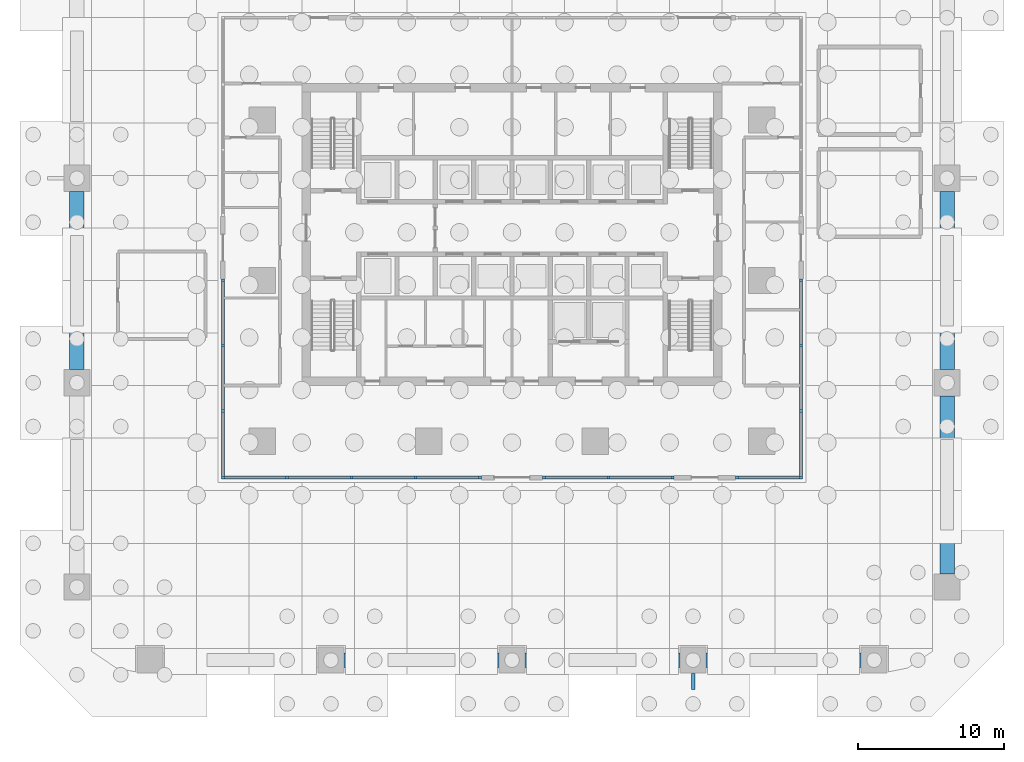
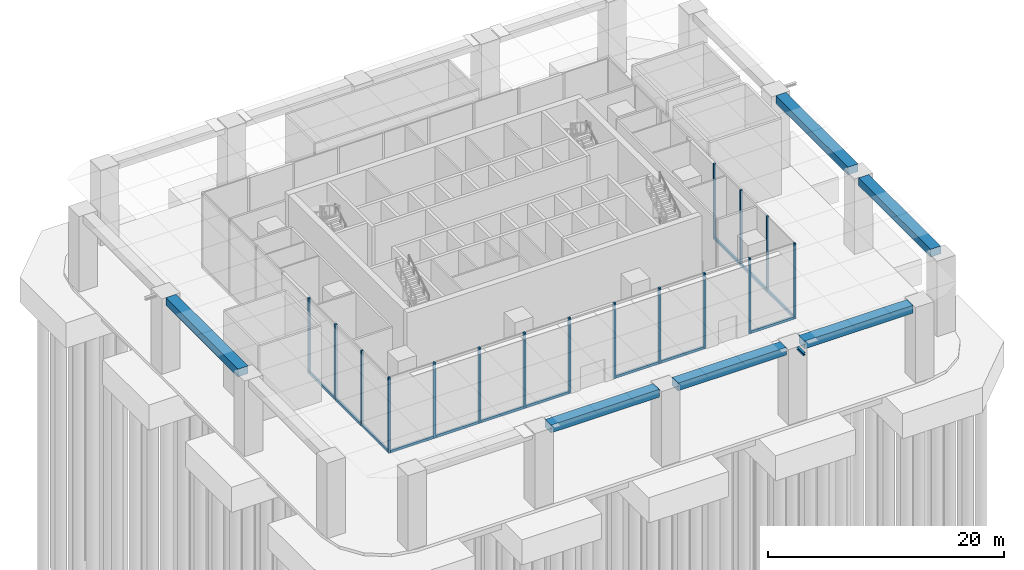
# One storey, part 3 of 18: 29 members, 7 beams, 5 elements without a shape of their own.
"""IFC4 building model written with IfcOpenShell, lengths in metres."""

import ifcopenshell
import ifcopenshell.guid

model = None  # the IFC model being written
_history = None  # IfcOwnerHistory: only IFC2X3 demands one
_inside = {}  # id of a spatial element -> (the spatial element, [elements in it])
_under = {}  # id of a project, library or spatial element -> (it, [spatial elements below it])
_declared = {}  # id of a project -> (the project, [libraries it declares])
_typed = {}  # id of a type object -> (the type object, [elements of that type])
_made_of = {}  # id of a material, layer set ... -> (it, [elements and type objects made of it])


def new_model(schema):
    """Start an empty IFC model of exactly this schema.

    Asked for "IFC4X3", IfcOpenShell would pick the latest addendum, in which some entities
    have other attributes; the version numbers below select the first issue.
    IFC2X3 requires an IfcOwnerHistory on every rooted entity: one is made here for all.
    """
    global model, _history
    if schema == "IFC4X3":
        model = ifcopenshell.file(schema_version=(4, 3, 0, 0))
    else:
        model = ifcopenshell.file(schema=schema)
    _inside.clear()
    _under.clear()
    _declared.clear()
    _typed.clear()
    _made_of.clear()
    _history = None
    if model.schema == "IFC2X3":
        org = make("IfcOrganization", Name="unknown")
        user = make(
            "IfcPersonAndOrganization",
            ThePerson=make("IfcPerson", FamilyName="unknown"),
            TheOrganization=org,
        )
        app = make(
            "IfcApplication",
            ApplicationDeveloper=org,
            Version="unknown",
            ApplicationFullName="unknown",
            ApplicationIdentifier="unknown",
        )
        _history = make(
            "IfcOwnerHistory",
            OwningUser=user,
            OwningApplication=app,
            ChangeAction="ADDED",
            CreationDate=0,
        )
    return model


def make(cls, **values):
    """One entity of the class cls with the attributes given. An attribute that is None is left unset."""
    return model.create_entity(
        cls, **{name: value for name, value in values.items() if value is not None}
    )


def rooted(cls, **values):
    """An entity with a GlobalId (a new one), such as an element, a storey or a relation."""
    return make(cls, GlobalId=ifcopenshell.guid.new(), OwnerHistory=_history, **values)


def si_unit(unit_type, name, prefix=None):
    """IfcSIUnit, for example si_unit("LENGTHUNIT", "METRE", prefix="MILLI")."""
    return make("IfcSIUnit", UnitType=unit_type, Prefix=prefix, Name=name)


def assignment(units):
    """IfcUnitAssignment: the units of a project."""
    return None if units is None else make("IfcUnitAssignment", Units=units)


def point(xyz):
    """IfcCartesianPoint."""
    return None if xyz is None else make("IfcCartesianPoint", Coordinates=xyz)


def direction(xyz):
    """IfcDirection."""
    return None if xyz is None else make("IfcDirection", DirectionRatios=xyz)


def frame(location, z_axis=None, x_axis=None):
    """IfcAxis2Placement3D, a coordinate frame: its origin and axes. An axis left out is left unset."""
    return make(
        "IfcAxis2Placement3D",
        Location=point(location),
        Axis=direction(z_axis),
        RefDirection=direction(x_axis),
    )


def frame_2d(location, x_axis=None):
    """IfcAxis2Placement2D, a coordinate frame in the plane: its origin and x axis."""
    return make(
        "IfcAxis2Placement2D", Location=point(location), RefDirection=direction(x_axis)
    )


def origin():
    """The frame at (0, 0, 0) with its axes left unset."""
    return frame((0.0, 0.0, 0.0))


def origin_2d():
    """The frame at (0, 0) in the plane with its x axis left unset."""
    return frame_2d((0.0, 0.0))


def place(relative_to, where):
    """IfcLocalPlacement: puts the frame where relative to a parent placement (None: the world)."""
    return make(
        "IfcLocalPlacement", PlacementRelTo=relative_to, RelativePlacement=where
    )


def context(
    kind, dimensions, precision=None, world=None, true_north=None, identifier=None
):
    """IfcGeometricRepresentationContext, for example the 3D "Model" context."""
    return make(
        "IfcGeometricRepresentationContext",
        ContextIdentifier=identifier,
        ContextType=kind,
        CoordinateSpaceDimension=dimensions,
        Precision=precision,
        WorldCoordinateSystem=world,
        TrueNorth=true_north,
    )


def subcontext(parent, identifier, kind, view, scale=None):
    """IfcGeometricRepresentationSubContext, for example "Body" below "Model"."""
    return make(
        "IfcGeometricRepresentationSubContext",
        ContextIdentifier=identifier,
        ContextType=kind,
        ParentContext=parent,
        TargetScale=scale,
        TargetView=view,
    )


def project(units=None, contexts=None):
    """IfcProject with its units and contexts."""
    return rooted(
        "IfcProject",
        Name="project",
        RepresentationContexts=contexts,
        UnitsInContext=assignment(units),
    )


def spatial(cls, under=None, at=None, **own):
    """A site, building, storey or space (cls), placed at a placement, below another one or the project."""
    s = rooted(cls, ObjectPlacement=at, **own)
    if under is not None:
        _under.setdefault(under.id(), (under, []))[1].append(s)
    return s


def profile(cls, at=None, kind="AREA", **sizes):
    """A parametric profile (cls). Its sizes go by their IFC names, for example OverallWidth=200.0."""
    return make(cls, ProfileType=kind, Position=at, **sizes)


def rectangle(**sizes):
    """IfcRectangleProfileDef."""
    return profile("IfcRectangleProfileDef", **sizes)


def i_section(**sizes):
    """IfcIShapeProfileDef."""
    return profile("IfcIShapeProfileDef", **sizes)


def extrude(swept, where, along, depth):
    """IfcExtrudedAreaSolid: the profile swept, set in the frame where, extruded along a direction by depth."""
    return make(
        "IfcExtrudedAreaSolid",
        SweptArea=swept,
        Position=where,
        ExtrudedDirection=direction(along),
        Depth=depth,
    )


def shape(context_of_items, identifier, shape_type, items):
    """IfcShapeRepresentation: the items that make up one representation, for example the "Body"."""
    return make(
        "IfcShapeRepresentation",
        ContextOfItems=context_of_items,
        RepresentationIdentifier=identifier,
        RepresentationType=shape_type,
        Items=items,
    )


def material(Name=None, Category=None):
    """IfcMaterial."""
    return make("IfcMaterial", Name=Name, Category=Category)


def material_profile(
    of_material, cross_section, Name=None, Category=None, Priority=None
):
    """IfcMaterialProfile: a cross section and its material."""
    return make(
        "IfcMaterialProfile",
        Name=Name,
        Material=of_material,
        Profile=cross_section,
        Priority=Priority,
        Category=Category,
    )


def profile_set(profiles, Name=None, composite=None):
    """IfcMaterialProfileSet."""
    return make(
        "IfcMaterialProfileSet",
        Name=Name,
        MaterialProfiles=profiles,
        CompositeProfile=composite,
    )


def made_of(thing, what):
    """Note that an element or type object is made of a material, layer set ...; save() writes the relation."""
    if what is not None:
        _made_of.setdefault(what.id(), (what, []))[1].append(thing)
    return thing


def type_object(cls, material=None, **own):
    """A type object (cls), such as IfcWallType, which elements share."""
    return made_of(rooted(cls, **own), material)


def element(
    cls,
    number,
    at=None,
    inside=None,
    cuts=None,
    type_object=None,
    material=None,
    context=None,
    identifier="Body",
    shape_type=None,
    held_by="IfcProductDefinitionShape",
    body=None,
    shapes=None,
    **own,
):
    """One element of the class cls, such as IfcWall. Its Tag is "e" and its number.

    at: its placement. inside: the storey or other place that contains it. cuts: it is an
    opening in that element (IfcRelVoidsElement). A single representation is given by context,
    identifier, shape_type and body (its items); several are given by shapes. held_by: the class
    of the entity that holds the representations. save() writes the other relations.
    """
    e = rooted(cls, Tag="e%d" % number, ObjectPlacement=at, **own)
    if body is not None:
        shapes = [shape(context, identifier, shape_type, body)]
    if shapes is not None:
        e.Representation = make(held_by, Representations=shapes)
    if inside is not None:
        _inside.setdefault(inside.id(), (inside, []))[1].append(e)
    if cuts is not None:
        rooted(
            "IfcRelVoidsElement", RelatingBuildingElement=cuts, RelatedOpeningElement=e
        )
    if type_object is not None:
        _typed.setdefault(type_object.id(), (type_object, []))[1].append(e)
    return made_of(e, material)


def aggregate(whole, parts):
    """IfcRelAggregates: a whole, such as a stair, and the parts it consists of."""
    return rooted("IfcRelAggregates", RelatingObject=whole, RelatedObjects=parts)


def save(model, path):
    """Write the relations noted so far, then the file.

    IfcRelAggregates (storeys below a building ...), IfcRelContainedInSpatialStructure (elements
    in a storey), IfcRelDefinesByType, IfcRelAssociatesMaterial and IfcRelDeclares: one each for
    every whole, place, type object, material and project.
    """
    for whole, parts in _under.values():
        aggregate(whole, parts)
    for where, things in _inside.values():
        rooted(
            "IfcRelContainedInSpatialStructure",
            RelatedElements=things,
            RelatingStructure=where,
        )
    for kind, things in _typed.values():
        rooted("IfcRelDefinesByType", RelatedObjects=things, RelatingType=kind)
    for what, things in _made_of.values():
        rooted("IfcRelAssociatesMaterial", RelatedObjects=things, RelatingMaterial=what)
    for by, libraries in _declared.values():
        rooted("IfcRelDeclares", RelatingContext=by, RelatedDefinitions=libraries)
    model.write(path)


model = new_model("IFC4")

# Units and contexts
model_context = context("Model", 3, precision=1e-05, world=origin(), true_north=direction((0.0, 1.0)))
body_context = subcontext(model_context, "Body", "Model", "MODEL_VIEW")
ifc_project = project(units=[si_unit("LENGTHUNIT", "METRE"), si_unit("AREAUNIT", "SQUARE_METRE"), si_unit("VOLUMEUNIT", "CUBIC_METRE"), si_unit("PLANEANGLEUNIT", "RADIAN"), si_unit("MASSUNIT", "GRAM", prefix="KILO")], contexts=[model_context])

# Site, building, storey
site_placement = place(None, origin())
site = spatial("IfcSite", under=ifc_project, at=site_placement, CompositionType="ELEMENT")
building_placement = place(site_placement, origin())
building = spatial("IfcBuilding", under=site, at=building_placement, Name="Mopane Tessera Tower", CompositionType="ELEMENT")
storey_placement = place(building_placement, origin())
storey = spatial("IfcBuildingStorey", under=building, at=storey_placement, Name="L00", CompositionType="ELEMENT", Elevation=0.0)

# Curtain wall, members
ifc_material_1 = material(Name="Aluminium frame", Category="aluminium")
curtain_wall_type = type_object("IfcCurtainWallType", Name="Stilt pavilion glazed wall", PredefinedType="NOTDEFINED", material=ifc_material_1)
curtain_wall_1_placement = place(storey_placement, origin())
curtain_wall_1 = element("IfcCurtainWall", 1, at=curtain_wall_1_placement, inside=storey, type_object=curtain_wall_type, Name="e:pv:S:0", PredefinedType="NOTDEFINED")
ifc_material_2 = material(Name="Aluminium frame", Category="aluminium")
ifc_material_profile_1 = material_profile(ifc_material_2, rectangle(XDim=0.199951171875, YDim=0.199951171875, at=origin_2d()))
ifc_profile_set_1 = profile_set([ifc_material_profile_1], Name="Aluminium frame")
member_type_1 = type_object("IfcMemberType", Name="Aluminium mullion 200 x 200", PredefinedType="MULLION", material=ifc_profile_set_1)
member_1_placement = place(storey_placement, frame((-19.800048828125, -13.5, 0.0), z_axis=(0.0, 0.0, 1.0), x_axis=(1.0, 0.0, 0.0)))
member_1 = element("IfcMember", 2, at=member_1_placement, type_object=member_type_1, Name="e:pv:S:0:mu0", PredefinedType="MULLION", context=body_context, shape_type="SweptSolid", body=[
    extrude(rectangle(XDim=0.199951171875, YDim=0.199951171875, at=origin_2d()), origin(), (0.0, 0.0, 1.0), 7.800048828125),
])
member_2_placement = place(storey_placement, frame((-15.39990234375, -13.5, 0.0), z_axis=(0.0, 0.0, 1.0), x_axis=(1.0, 0.0, 0.0)))
member_2 = element("IfcMember", 3, at=member_2_placement, type_object=member_type_1, Name="e:pv:S:0:mu1", PredefinedType="MULLION", context=body_context, shape_type="SweptSolid", body=[
    extrude(rectangle(XDim=0.199951171875, YDim=0.199951171875, at=origin_2d()), origin(), (0.0, 0.0, 1.0), 7.800048828125),
])
member_3_placement = place(storey_placement, frame((-11.0, -13.5, 0.0), z_axis=(0.0, 0.0, 1.0), x_axis=(1.0, 0.0, 0.0)))
member_3 = element("IfcMember", 4, at=member_3_placement, type_object=member_type_1, Name="e:pv:S:0:mu2", PredefinedType="MULLION", context=body_context, shape_type="SweptSolid", body=[
    extrude(rectangle(XDim=0.199951171875, YDim=0.199951171875, at=origin_2d()), origin(), (0.0, 0.0, 1.0), 7.800048828125),
])
member_4_placement = place(storey_placement, frame((-6.60009765625, -13.5, 0.0), z_axis=(0.0, 0.0, 1.0), x_axis=(1.0, 0.0, 0.0)))
member_4 = element("IfcMember", 5, at=member_4_placement, type_object=member_type_1, Name="e:pv:S:0:mu3", PredefinedType="MULLION", context=body_context, shape_type="SweptSolid", body=[
    extrude(rectangle(XDim=0.199951171875, YDim=0.199951171875, at=origin_2d()), origin(), (0.0, 0.0, 1.0), 7.800048828125),
])
member_5_placement = place(storey_placement, frame((-2.199951171875, -13.5, 0.0), z_axis=(0.0, 0.0, 1.0), x_axis=(1.0, 0.0, 0.0)))
member_5 = element("IfcMember", 6, at=member_5_placement, type_object=member_type_1, Name="e:pv:S:0:mu4", PredefinedType="MULLION", context=body_context, shape_type="SweptSolid", body=[
    extrude(rectangle(XDim=0.199951171875, YDim=0.199951171875, at=origin_2d()), origin(), (0.0, 0.0, 1.0), 7.800048828125),
])

curtain_wall_2_placement = place(storey_placement, origin())
curtain_wall_2 = element("IfcCurtainWall", 7, at=curtain_wall_2_placement, inside=storey, type_object=curtain_wall_type, Name="e:pv:S:5", PredefinedType="NOTDEFINED")
member_6_placement = place(storey_placement, frame((2.199951171875, -13.5, 0.0), z_axis=(0.0, 0.0, 1.0), x_axis=(1.0, 0.0, 0.0)))
member_6 = element("IfcMember", 8, at=member_6_placement, type_object=member_type_1, Name="e:pv:S:5:mu5", PredefinedType="MULLION", context=body_context, shape_type="SweptSolid", body=[
    extrude(rectangle(XDim=0.199951171875, YDim=0.199951171875, at=origin_2d()), origin(), (0.0, 0.0, 1.0), 7.800048828125),
])
member_7_placement = place(storey_placement, frame((6.60009765625, -13.5, 0.0), z_axis=(0.0, 0.0, 1.0), x_axis=(1.0, 0.0, 0.0)))
member_7 = element("IfcMember", 9, at=member_7_placement, type_object=member_type_1, Name="e:pv:S:5:mu6", PredefinedType="MULLION", context=body_context, shape_type="SweptSolid", body=[
    extrude(rectangle(XDim=0.199951171875, YDim=0.199951171875, at=origin_2d()), origin(), (0.0, 0.0, 1.0), 7.800048828125),
])
member_8_placement = place(storey_placement, frame((11.0, -13.5, 0.0), z_axis=(0.0, 0.0, 1.0), x_axis=(1.0, 0.0, 0.0)))
member_8 = element("IfcMember", 10, at=member_8_placement, type_object=member_type_1, Name="e:pv:S:5:mu7", PredefinedType="MULLION", context=body_context, shape_type="SweptSolid", body=[
    extrude(rectangle(XDim=0.199951171875, YDim=0.199951171875, at=origin_2d()), origin(), (0.0, 0.0, 1.0), 7.800048828125),
])

curtain_wall_3_placement = place(storey_placement, origin())
curtain_wall_3 = element("IfcCurtainWall", 11, at=curtain_wall_3_placement, inside=storey, type_object=curtain_wall_type, Name="e:pv:S:8", PredefinedType="NOTDEFINED")
member_9_placement = place(storey_placement, frame((15.39990234375, -13.5, 0.0), z_axis=(0.0, 0.0, 1.0), x_axis=(1.0, 0.0, 0.0)))
member_9 = element("IfcMember", 12, at=member_9_placement, type_object=member_type_1, Name="e:pv:S:8:mu8", PredefinedType="MULLION", context=body_context, shape_type="SweptSolid", body=[
    extrude(rectangle(XDim=0.199951171875, YDim=0.199951171875, at=origin_2d()), origin(), (0.0, 0.0, 1.0), 7.800048828125),
])
member_10_placement = place(storey_placement, frame((19.800048828125, -13.5, 0.0), z_axis=(0.0, 0.0, 1.0), x_axis=(1.0, 0.0, 0.0)))
member_10 = element("IfcMember", 13, at=member_10_placement, type_object=member_type_1, Name="e:pv:S:8:mu9", PredefinedType="MULLION", context=body_context, shape_type="SweptSolid", body=[
    extrude(rectangle(XDim=0.199951171875, YDim=0.199951171875, at=origin_2d()), origin(), (0.0, 0.0, 1.0), 7.800048828125),
])

curtain_wall_4_placement = place(storey_placement, origin())
curtain_wall_4 = element("IfcCurtainWall", 14, at=curtain_wall_4_placement, inside=storey, type_object=curtain_wall_type, Name="e:pv:E:0", PredefinedType="NOTDEFINED")
member_11_placement = place(storey_placement, frame((19.800048828125, -8.928466796875, 0.0), z_axis=(0.0, 0.0, 1.0), x_axis=(0.0, 1.0, 0.0)))
member_11 = element("IfcMember", 15, at=member_11_placement, type_object=member_type_1, Name="e:pv:E:0:mu1", PredefinedType="MULLION", context=body_context, shape_type="SweptSolid", body=[
    extrude(rectangle(XDim=0.199951171875, YDim=0.199951171875, at=origin_2d()), origin(), (0.0, 0.0, 1.0), 7.800048828125),
])
member_12_placement = place(storey_placement, frame((19.800048828125, -4.45703125, 0.0), z_axis=(0.0, 0.0, 1.0), x_axis=(0.0, 1.0, 0.0)))
member_12 = element("IfcMember", 16, at=member_12_placement, type_object=member_type_1, Name="e:pv:E:0:mu2", PredefinedType="MULLION", context=body_context, shape_type="SweptSolid", body=[
    extrude(rectangle(XDim=0.199951171875, YDim=0.199951171875, at=origin_2d()), origin(), (0.0, 0.0, 1.0), 7.800048828125),
])
member_13_placement = place(storey_placement, frame((19.800048828125, 0.014404296875, 0.0), z_axis=(0.0, 0.0, 1.0), x_axis=(0.0, 1.0, 0.0)))
member_13 = element("IfcMember", 17, at=member_13_placement, type_object=member_type_1, Name="e:pv:E:0:mu3", PredefinedType="MULLION", context=body_context, shape_type="SweptSolid", body=[
    extrude(rectangle(XDim=0.199951171875, YDim=0.199951171875, at=origin_2d()), origin(), (0.0, 0.0, 1.0), 7.800048828125),
])

curtain_wall_5_placement = place(storey_placement, origin())
curtain_wall_5 = element("IfcCurtainWall", 18, at=curtain_wall_5_placement, inside=storey, type_object=curtain_wall_type, Name="e:pv:W:0", PredefinedType="NOTDEFINED")
member_14_placement = place(storey_placement, frame((-19.800048828125, -8.928466796875, 0.0), z_axis=(0.0, 0.0, 1.0), x_axis=(0.0, 1.0, 0.0)))
member_14 = element("IfcMember", 19, at=member_14_placement, type_object=member_type_1, Name="e:pv:W:0:mu1", PredefinedType="MULLION", context=body_context, shape_type="SweptSolid", body=[
    extrude(rectangle(XDim=0.199951171875, YDim=0.199951171875, at=origin_2d()), origin(), (0.0, 0.0, 1.0), 7.800048828125),
])
member_15_placement = place(storey_placement, frame((-19.800048828125, -4.45703125, 0.0), z_axis=(0.0, 0.0, 1.0), x_axis=(0.0, 1.0, 0.0)))
member_15 = element("IfcMember", 20, at=member_15_placement, type_object=member_type_1, Name="e:pv:W:0:mu2", PredefinedType="MULLION", context=body_context, shape_type="SweptSolid", body=[
    extrude(rectangle(XDim=0.199951171875, YDim=0.199951171875, at=origin_2d()), origin(), (0.0, 0.0, 1.0), 7.800048828125),
])
member_16_placement = place(storey_placement, frame((-19.800048828125, 0.014404296875, 0.0), z_axis=(0.0, 0.0, 1.0), x_axis=(0.0, 1.0, 0.0)))
member_16 = element("IfcMember", 21, at=member_16_placement, type_object=member_type_1, Name="e:pv:W:0:mu3", PredefinedType="MULLION", context=body_context, shape_type="SweptSolid", body=[
    extrude(rectangle(XDim=0.199951171875, YDim=0.199951171875, at=origin_2d()), origin(), (0.0, 0.0, 1.0), 7.800048828125),
])

# Member
ifc_material_3 = material(Name="Aluminium frame", Category="aluminium")
ifc_material_profile_2 = material_profile(ifc_material_3, rectangle(XDim=0.199951171875, YDim=0.25, at=origin_2d()))
ifc_profile_set_2 = profile_set([ifc_material_profile_2], Name="Aluminium frame")
member_type_2 = type_object("IfcMemberType", Name="Aluminium transom 200 x 250", PredefinedType="USERDEFINED", material=ifc_profile_set_2)
member_17_placement = place(storey_placement, frame((-19.699951171875, -13.5, 0.125), z_axis=(1.0, 0.0, 0.0), x_axis=(0.0, 1.0, 0.0)))
member_17 = element("IfcMember", 22, at=member_17_placement, type_object=member_type_2, Name="e:pv:S:0:tr0", ObjectType="TRANSOM", PredefinedType="USERDEFINED", context=body_context, shape_type="SweptSolid", body=[
    extrude(rectangle(XDim=0.199951171875, YDim=0.25, at=origin_2d()), origin(), (0.0, 0.0, 1.0), 4.199951171875),
])

member_18_placement = place(storey_placement, frame((-15.300048828125, -13.5, 0.125), z_axis=(1.0, 0.0, 0.0), x_axis=(0.0, 1.0, 0.0)))
member_18 = element("IfcMember", 23, at=member_18_placement, type_object=member_type_2, Name="e:pv:S:0:tr1", ObjectType="TRANSOM", PredefinedType="USERDEFINED", context=body_context, shape_type="SweptSolid", body=[
    extrude(rectangle(XDim=0.199951171875, YDim=0.25, at=origin_2d()), origin(), (0.0, 0.0, 1.0), 4.199951171875),
])

member_19_placement = place(storey_placement, frame((-10.89990234375, -13.5, 0.125), z_axis=(1.0, 0.0, 0.0), x_axis=(0.0, 1.0, 0.0)))
member_19 = element("IfcMember", 24, at=member_19_placement, type_object=member_type_2, Name="e:pv:S:0:tr2", ObjectType="TRANSOM", PredefinedType="USERDEFINED", context=body_context, shape_type="SweptSolid", body=[
    extrude(rectangle(XDim=0.199951171875, YDim=0.25, at=origin_2d()), origin(), (0.0, 0.0, 1.0), 4.199951171875),
])

member_20_placement = place(storey_placement, frame((-6.5, -13.5, 0.125), z_axis=(1.0, 0.0, 0.0), x_axis=(0.0, 1.0, 0.0)))
member_20 = element("IfcMember", 25, at=member_20_placement, type_object=member_type_2, Name="e:pv:S:0:tr3", ObjectType="TRANSOM", PredefinedType="USERDEFINED", context=body_context, shape_type="SweptSolid", body=[
    extrude(rectangle(XDim=0.199951171875, YDim=0.25, at=origin_2d()), origin(), (0.0, 0.0, 1.0), 4.199951171875),
])

aggregate(curtain_wall_1, [member_1, member_2, member_3, member_4, member_5, member_17, member_18, member_19, member_20])

member_21_placement = place(storey_placement, frame((2.300048828125, -13.5, 0.125), z_axis=(1.0, 0.0, 0.0), x_axis=(0.0, 1.0, 0.0)))
member_21 = element("IfcMember", 26, at=member_21_placement, type_object=member_type_2, Name="e:pv:S:5:tr5", ObjectType="TRANSOM", PredefinedType="USERDEFINED", context=body_context, shape_type="SweptSolid", body=[
    extrude(rectangle(XDim=0.199951171875, YDim=0.25, at=origin_2d()), origin(), (0.0, 0.0, 1.0), 4.199951171875),
])

member_22_placement = place(storey_placement, frame((6.699951171875, -13.5, 0.125), z_axis=(1.0, 0.0, 0.0), x_axis=(0.0, 1.0, 0.0)))
member_22 = element("IfcMember", 27, at=member_22_placement, type_object=member_type_2, Name="e:pv:S:5:tr6", ObjectType="TRANSOM", PredefinedType="USERDEFINED", context=body_context, shape_type="SweptSolid", body=[
    extrude(rectangle(XDim=0.199951171875, YDim=0.25, at=origin_2d()), origin(), (0.0, 0.0, 1.0), 4.199951171875),
])

aggregate(curtain_wall_2, [member_6, member_7, member_8, member_21, member_22])

member_23_placement = place(storey_placement, frame((15.5, -13.5, 0.125), z_axis=(1.0, 0.0, 0.0), x_axis=(0.0, 1.0, 0.0)))
member_23 = element("IfcMember", 28, at=member_23_placement, type_object=member_type_2, Name="e:pv:S:8:tr8", ObjectType="TRANSOM", PredefinedType="USERDEFINED", context=body_context, shape_type="SweptSolid", body=[
    extrude(rectangle(XDim=0.199951171875, YDim=0.25, at=origin_2d()), origin(), (0.0, 0.0, 1.0), 4.199951171875),
])

aggregate(curtain_wall_3, [member_9, member_10, member_23])

member_24_placement = place(storey_placement, frame((19.800048828125, -13.39990234375, 0.125), z_axis=(0.0, 1.0, 0.0), x_axis=(-1.0, 0.0, 0.0)))
member_24 = element("IfcMember", 29, at=member_24_placement, type_object=member_type_2, Name="e:pv:E:0:tr0", ObjectType="TRANSOM", PredefinedType="USERDEFINED", context=body_context, shape_type="SweptSolid", body=[
    extrude(rectangle(XDim=0.199951171875, YDim=0.25, at=origin_2d()), origin(), (0.0, 0.0, 1.0), 4.371337890625),
])

member_25_placement = place(storey_placement, frame((19.800048828125, -8.82861328125, 0.125), z_axis=(0.0, 1.0, 0.0), x_axis=(-1.0, 0.0, 0.0)))
member_25 = element("IfcMember", 30, at=member_25_placement, type_object=member_type_2, Name="e:pv:E:0:tr1", ObjectType="TRANSOM", PredefinedType="USERDEFINED", context=body_context, shape_type="SweptSolid", body=[
    extrude(rectangle(XDim=0.199951171875, YDim=0.25, at=origin_2d()), origin(), (0.0, 0.0, 1.0), 4.271484375),
])

member_26_placement = place(storey_placement, frame((19.800048828125, -4.357177734375, 0.125), z_axis=(0.0, 1.0, 0.0), x_axis=(-1.0, 0.0, 0.0)))
member_26 = element("IfcMember", 31, at=member_26_placement, type_object=member_type_2, Name="e:pv:E:0:tr2", ObjectType="TRANSOM", PredefinedType="USERDEFINED", context=body_context, shape_type="SweptSolid", body=[
    extrude(rectangle(XDim=0.199951171875, YDim=0.25, at=origin_2d()), origin(), (0.0, 0.0, 1.0), 4.271484375),
])

aggregate(curtain_wall_4, [member_11, member_12, member_13, member_24, member_25, member_26])

member_27_placement = place(storey_placement, frame((-19.800048828125, -13.39990234375, 0.125), z_axis=(0.0, 1.0, 0.0), x_axis=(-1.0, 0.0, 0.0)))
member_27 = element("IfcMember", 32, at=member_27_placement, type_object=member_type_2, Name="e:pv:W:0:tr0", ObjectType="TRANSOM", PredefinedType="USERDEFINED", context=body_context, shape_type="SweptSolid", body=[
    extrude(rectangle(XDim=0.199951171875, YDim=0.25, at=origin_2d()), origin(), (0.0, 0.0, 1.0), 4.371337890625),
])

member_28_placement = place(storey_placement, frame((-19.800048828125, -8.82861328125, 0.125), z_axis=(0.0, 1.0, 0.0), x_axis=(-1.0, 0.0, 0.0)))
member_28 = element("IfcMember", 33, at=member_28_placement, type_object=member_type_2, Name="e:pv:W:0:tr1", ObjectType="TRANSOM", PredefinedType="USERDEFINED", context=body_context, shape_type="SweptSolid", body=[
    extrude(rectangle(XDim=0.199951171875, YDim=0.25, at=origin_2d()), origin(), (0.0, 0.0, 1.0), 4.271484375),
])

member_29_placement = place(storey_placement, frame((-19.800048828125, -4.357177734375, 0.125), z_axis=(0.0, 1.0, 0.0), x_axis=(-1.0, 0.0, 0.0)))
member_29 = element("IfcMember", 34, at=member_29_placement, type_object=member_type_2, Name="e:pv:W:0:tr2", ObjectType="TRANSOM", PredefinedType="USERDEFINED", context=body_context, shape_type="SweptSolid", body=[
    extrude(rectangle(XDim=0.199951171875, YDim=0.25, at=origin_2d()), origin(), (0.0, 0.0, 1.0), 4.271484375),
])

aggregate(curtain_wall_5, [member_14, member_15, member_16, member_27, member_28, member_29])

# Beams
ifc_material_4 = material(Name="Concrete C60/75", Category="concrete")
ifc_material_profile_3 = material_profile(ifc_material_4, rectangle(XDim=1.0, YDim=0.800048828125, at=origin_2d()))
ifc_profile_set_3 = profile_set([ifc_material_profile_3], Name="Concrete C60/75")
beam_type_1 = type_object("IfcBeamType", Name="Stilt ring beam RC 1000 x 800", PredefinedType="BEAM", material=ifc_profile_set_3)
for number, where, z_axis, x_axis, name in (
    (35, (-11.5, -26.0, 7.39990234375), (1.0, 0.0, 0.0), (0.0, 1.0, 0.0), "Stilt ring beam S1-S2"),
    (36, (0.89990234375, -26.0, 7.39990234375), (1.0, 0.0, 0.0), (0.0, 1.0, 0.0), "Stilt ring beam S2-S3"),
):
    element("IfcBeam", number, at=place(storey_placement, frame(where, z_axis=z_axis, x_axis=x_axis)), inside=storey, type_object=beam_type_1, Name=name, PredefinedType="BEAM", context=body_context, shape_type="SweptSolid", body=[
        extrude(rectangle(XDim=1.0, YDim=0.800048828125, at=origin_2d()), origin(), (0.0, 0.0, 1.0), 10.60009765625),
    ])
beam_1_placement = place(storey_placement, frame((13.300048828125, -26.0, 7.39990234375), z_axis=(1.0, 0.0, 0.0), x_axis=(0.0, 1.0, 0.0)))
element("IfcBeam", 37, at=beam_1_placement, inside=storey, type_object=beam_type_1, Name="Stilt ring beam S3-S4", PredefinedType="BEAM", context=body_context, shape_type="SweptSolid", body=[
    extrude(rectangle(XDim=1.0, YDim=0.800048828125, at=origin_2d()), origin(), (0.0, 0.0, 1.0), 10.599853515625),
])
for number, where, z_axis, x_axis, name in (
    (38, (29.800048828125, -20.10009765625, 7.39990234375), (0.0, 1.0, 0.0), (-1.0, 0.0, 0.0), "Stilt ring beam E0-E1"),
    (39, (29.800048828125, -6.10009765625, 7.39990234375), (0.0, 1.0, 0.0), (-1.0, 0.0, 0.0), "Stilt ring beam E1-E2"),
    (40, (-29.800048828125, -6.10009765625, 7.39990234375), (0.0, 1.0, 0.0), (-1.0, 0.0, 0.0), "Stilt ring beam W1-W2"),
):
    element("IfcBeam", number, at=place(storey_placement, frame(where, z_axis=z_axis, x_axis=x_axis)), inside=storey, type_object=beam_type_1, Name=name, PredefinedType="BEAM", context=body_context, shape_type="SweptSolid", body=[
        extrude(rectangle(XDim=1.0, YDim=0.800048828125, at=origin_2d()), origin(), (0.0, 0.0, 1.0), 12.2001953125),
    ])
ifc_material_5 = material(Name="Structural steel S460", Category="steel")
ifc_material_profile_4 = material_profile(ifc_material_5, i_section(OverallWidth=0.239990234375, OverallDepth=0.239990234375, WebThickness=0.010009765625, FlangeThickness=0.01708984375, FilletRadius=0.02099609375, at=origin_2d()))
ifc_profile_set_4 = profile_set([ifc_material_profile_4], Name="Structural steel S460")
beam_type_2 = type_object("IfcBeamType", Name="Terrace spandrel beam HE 240 B", PredefinedType="SPANDREL", material=ifc_profile_set_4)
beam_2_placement = place(storey_placement, frame((12.39990234375, -26.903076171875, 7.679931640625), z_axis=(0.0, -1.0, 0.0), x_axis=(1.0, 0.0, 0.0)))
element("IfcBeam", 41, at=beam_2_placement, inside=storey, type_object=beam_type_2, Name="Terrace spandrel beam N1 L01", PredefinedType="SPANDREL", context=body_context, shape_type="SweptSolid", body=[
    extrude(i_section(OverallWidth=0.239990234375, OverallDepth=0.239990234375, WebThickness=0.010009765625, FlangeThickness=0.01708984375, FilletRadius=0.02099609375, at=origin_2d()), origin(), (0.0, 0.0, 1.0), 1.099853515625),
])

save(model, "model.ifc")
